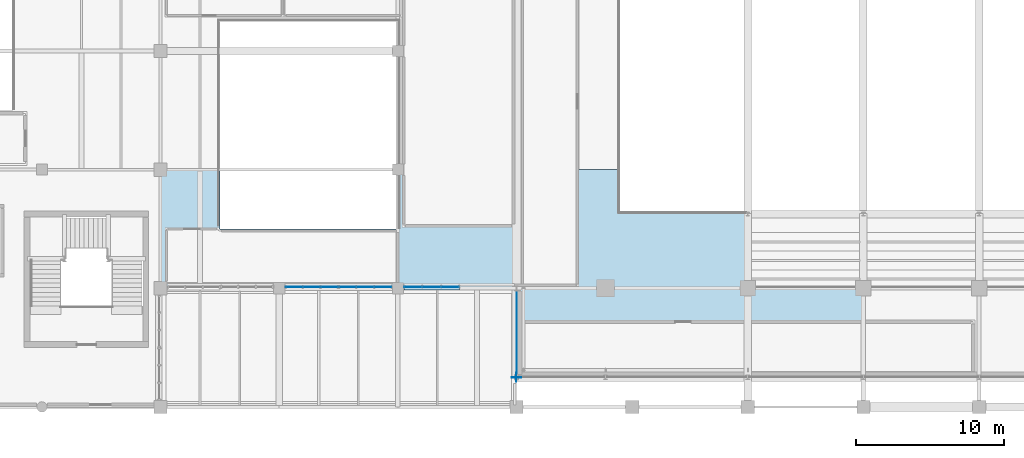
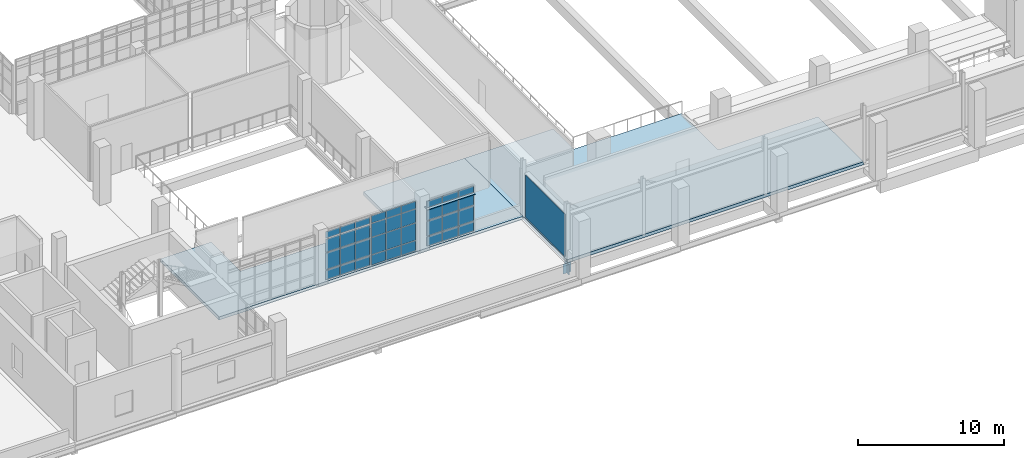
# One storey, part 66 of 102: 40 plates, 2 slabs, 3 elements without a shape of their own.
"""IFC4 building model written with IfcOpenShell, lengths in metres."""

from ifc_helpers import new_model, si_unit, derived_unit, direction, frame, origin, origin_2d, place, context, subcontext, project, spatial, polyline, rectangle, outline, extrude, material, layer, layer_set, type_object, element, aggregate, save


model = new_model("IFC4")

# Units and contexts
model_context = context("Model", 3, precision=1e-05, world=origin(), true_north=direction((0.0, 1.0)))
body_context = subcontext(model_context, "Body", "Model", "MODEL_VIEW")
ifc_project = project(units=[si_unit("LENGTHUNIT", "METRE"), si_unit("AREAUNIT", "SQUARE_METRE"), si_unit("VOLUMEUNIT", "CUBIC_METRE"), si_unit("PLANEANGLEUNIT", "RADIAN"), si_unit("MASSUNIT", "GRAM", prefix="KILO"), derived_unit("THERMALTRANSMITTANCEUNIT", [(si_unit("POWERUNIT", "WATT"), 1), (si_unit("LENGTHUNIT", "METRE"), -2), (si_unit("THERMODYNAMICTEMPERATUREUNIT", "KELVIN"), -1)])], contexts=[model_context])

# Site, building, storey
site_placement = place(None, origin())
site = spatial("IfcSite", under=ifc_project, at=site_placement, CompositionType="ELEMENT")
building_placement = place(site_placement, origin())
building = spatial("IfcBuilding", under=site, at=building_placement, Name="Nallur Shell Playhouse", CompositionType="ELEMENT")
storey_placement = place(building_placement, frame((0.0, 0.0, 15.0)))
storey = spatial("IfcBuildingStorey", under=building, at=storey_placement, Name="L04", CompositionType="ELEMENT", Elevation=15.0)

# Plates
ifc_material_1 = material(Name="Steel E350", Category="steel")
ifc_layer_1 = layer(ifc_material_1, 0.02001953125)
ifc_layer_set_1 = layer_set([ifc_layer_1], Name="Steel E350")
plate_type_1 = type_object("IfcPlateType", Name="PT-ENDCAP-20", PredefinedType="SHEET", material=ifc_layer_set_1)
plate_1_placement = place(storey_placement, frame((63.989990234375, 10.0, -1.06982421875), z_axis=(0.0, 0.0, 1.0), x_axis=(1.0, 0.0, 0.0)))
element("IfcPlate", 1, at=plate_1_placement, inside=storey, type_object=plate_type_1, Name="Hollow end cap EC-GB-L04-SA", PredefinedType="SHEET", context=body_context, shape_type="SweptSolid", body=[
    extrude(rectangle(XDim=0.02001953125, YDim=0.6201171875, at=origin_2d()), origin(), (0.0, 0.0, 1.0), 0.820068359375),
])
plate_2_placement = place(storey_placement, frame((64.0, 9.989990234375, -1.06982421875), z_axis=(0.0, 0.0, 1.0), x_axis=(1.0, 0.0, 0.0)))
element("IfcPlate", 2, at=plate_2_placement, inside=storey, type_object=plate_type_1, Name="Hollow end cap EC-GB-L04-WA", PredefinedType="SHEET", context=body_context, shape_type="SweptSolid", body=[
    extrude(rectangle(XDim=0.6201171875, YDim=0.02001953125, at=origin_2d()), origin(), (0.0, 0.0, 1.0), 0.820068359375),
])

# Curtain wall, plates
ifc_material_2 = material(Name="Anodised Aluminium Double-Glazed Facade System", Category="aluminium")
ifc_layer_2 = layer(ifc_material_2, 0.176025390625)
ifc_layer_set_2 = layer_set([ifc_layer_2], Name="Anodised Aluminium Double-Glazed Facade System")
curtain_wall_type_1 = type_object("IfcCurtainWallType", Name="CW-UNIT-04", PredefinedType="NOTDEFINED", material=ifc_layer_set_2)
curtain_wall_1_placement = place(storey_placement, origin())
curtain_wall_1 = element("IfcCurtainWall", 3, at=curtain_wall_1_placement, inside=storey, type_object=curtain_wall_type_1, Name="Unitised curtain wall CW-132 (L04)", PredefinedType="NOTDEFINED")
ifc_material_3 = material(Name="Solar-Control Low-E Laminated Insulating Glass", Category="glass")
ifc_layer_3 = layer(ifc_material_3, 0.031982421875)
ifc_layer_set_3 = layer_set([ifc_layer_3], Name="Solar-Control Low-E Laminated Insulating Glass")
plate_type_2 = type_object("IfcPlateType", Name="PT-GLZ-04", PredefinedType="CURTAIN_PANEL", material=ifc_layer_set_3)
plate_3_placement = place(storey_placement, frame((59.533935546875, 16.090087890625, 0.092041015625), z_axis=(0.0, 0.0, 1.0), x_axis=(-1.0, 0.0, 0.0)))
plate_3 = element("IfcPlate", 4, at=plate_3_placement, type_object=plate_type_2, Name="CW-04 panel 1.1", PredefinedType="CURTAIN_PANEL", context=body_context, shape_type="SweptSolid", body=[
    extrude(rectangle(XDim=1.17138671875, YDim=0.031982421875, at=origin_2d()), origin(), (0.0, 0.0, 1.0), 0.76611328125),
])
plate_4_placement = place(storey_placement, frame((59.533935546875, 16.090087890625, 0.94189453125), z_axis=(0.0, 0.0, 1.0), x_axis=(-1.0, 0.0, 0.0)))
plate_4 = element("IfcPlate", 5, at=plate_4_placement, type_object=plate_type_2, Name="CW-04 panel 1.2", PredefinedType="CURTAIN_PANEL", context=body_context, shape_type="SweptSolid", body=[
    extrude(rectangle(XDim=1.17138671875, YDim=0.031982421875, at=origin_2d()), origin(), (0.0, 0.0, 1.0), 1.219970703125),
])
plate_5_placement = place(storey_placement, frame((59.533935546875, 16.090087890625, 2.24609375), z_axis=(0.0, 0.0, 1.0), x_axis=(-1.0, 0.0, 0.0)))
plate_5 = element("IfcPlate", 6, at=plate_5_placement, type_object=plate_type_2, Name="CW-04 panel 1.3", PredefinedType="CURTAIN_PANEL", context=body_context, shape_type="SweptSolid", body=[
    extrude(rectangle(XDim=1.17138671875, YDim=0.031982421875, at=origin_2d()), origin(), (0.0, 0.0, 1.0), 0.967041015625),
])
plate_6_placement = place(storey_placement, frame((59.533935546875, 16.090087890625, 3.297119140625), z_axis=(0.0, 0.0, 1.0), x_axis=(-1.0, 0.0, 0.0)))
plate_6 = element("IfcPlate", 7, at=plate_6_placement, type_object=plate_type_2, Name="CW-04 panel 1.4", PredefinedType="CURTAIN_PANEL", context=body_context, shape_type="SweptSolid", body=[
    extrude(rectangle(XDim=1.17138671875, YDim=0.031982421875, at=origin_2d()), origin(), (0.0, 0.0, 1.0), 0.5458984375),
])
plate_7_placement = place(storey_placement, frame((58.28466796875, 16.090087890625, 0.092041015625), z_axis=(0.0, 0.0, 1.0), x_axis=(-1.0, 0.0, 0.0)))
plate_7 = element("IfcPlate", 8, at=plate_7_placement, type_object=plate_type_2, Name="CW-04 panel 2.1", PredefinedType="CURTAIN_PANEL", context=body_context, shape_type="SweptSolid", body=[
    extrude(rectangle(XDim=1.208740234375, YDim=0.031982421875, at=origin_2d()), origin(), (0.0, 0.0, 1.0), 0.76611328125),
])
plate_8_placement = place(storey_placement, frame((58.28466796875, 16.090087890625, 0.94189453125), z_axis=(0.0, 0.0, 1.0), x_axis=(-1.0, 0.0, 0.0)))
plate_8 = element("IfcPlate", 9, at=plate_8_placement, type_object=plate_type_2, Name="CW-04 panel 2.2", PredefinedType="CURTAIN_PANEL", context=body_context, shape_type="SweptSolid", body=[
    extrude(rectangle(XDim=1.208740234375, YDim=0.031982421875, at=origin_2d()), origin(), (0.0, 0.0, 1.0), 1.219970703125),
])
plate_9_placement = place(storey_placement, frame((58.28466796875, 16.090087890625, 2.24609375), z_axis=(0.0, 0.0, 1.0), x_axis=(-1.0, 0.0, 0.0)))
plate_9 = element("IfcPlate", 10, at=plate_9_placement, type_object=plate_type_2, Name="CW-04 panel 2.3", PredefinedType="CURTAIN_PANEL", context=body_context, shape_type="SweptSolid", body=[
    extrude(rectangle(XDim=1.208740234375, YDim=0.031982421875, at=origin_2d()), origin(), (0.0, 0.0, 1.0), 0.967041015625),
])
plate_10_placement = place(storey_placement, frame((58.28466796875, 16.090087890625, 3.297119140625), z_axis=(0.0, 0.0, 1.0), x_axis=(-1.0, 0.0, 0.0)))
plate_10 = element("IfcPlate", 11, at=plate_10_placement, type_object=plate_type_2, Name="CW-04 panel 2.4", PredefinedType="CURTAIN_PANEL", context=body_context, shape_type="SweptSolid", body=[
    extrude(rectangle(XDim=1.208740234375, YDim=0.031982421875, at=origin_2d()), origin(), (0.0, 0.0, 1.0), 0.5458984375),
])
plate_11_placement = place(storey_placement, frame((57.03564453125, 16.090087890625, 0.092041015625), z_axis=(0.0, 0.0, 1.0), x_axis=(-1.0, 0.0, 0.0)))
plate_11 = element("IfcPlate", 12, at=plate_11_placement, type_object=plate_type_2, Name="CW-04 panel 3.1", PredefinedType="CURTAIN_PANEL", context=body_context, shape_type="SweptSolid", body=[
    extrude(rectangle(XDim=1.17138671875, YDim=0.031982421875, at=origin_2d()), origin(), (0.0, 0.0, 1.0), 0.76611328125),
])
plate_12_placement = place(storey_placement, frame((57.03564453125, 16.090087890625, 0.94189453125), z_axis=(0.0, 0.0, 1.0), x_axis=(-1.0, 0.0, 0.0)))
plate_12 = element("IfcPlate", 13, at=plate_12_placement, type_object=plate_type_2, Name="CW-04 panel 3.2", PredefinedType="CURTAIN_PANEL", context=body_context, shape_type="SweptSolid", body=[
    extrude(rectangle(XDim=1.17138671875, YDim=0.031982421875, at=origin_2d()), origin(), (0.0, 0.0, 1.0), 1.219970703125),
])
plate_13_placement = place(storey_placement, frame((57.03564453125, 16.090087890625, 2.24609375), z_axis=(0.0, 0.0, 1.0), x_axis=(-1.0, 0.0, 0.0)))
plate_13 = element("IfcPlate", 14, at=plate_13_placement, type_object=plate_type_2, Name="CW-04 panel 3.3", PredefinedType="CURTAIN_PANEL", context=body_context, shape_type="SweptSolid", body=[
    extrude(rectangle(XDim=1.17138671875, YDim=0.031982421875, at=origin_2d()), origin(), (0.0, 0.0, 1.0), 0.967041015625),
])
plate_14_placement = place(storey_placement, frame((57.03564453125, 16.090087890625, 3.297119140625), z_axis=(0.0, 0.0, 1.0), x_axis=(-1.0, 0.0, 0.0)))
plate_14 = element("IfcPlate", 15, at=plate_14_placement, type_object=plate_type_2, Name="CW-04 panel 3.4", PredefinedType="CURTAIN_PANEL", context=body_context, shape_type="SweptSolid", body=[
    extrude(rectangle(XDim=1.17138671875, YDim=0.031982421875, at=origin_2d()), origin(), (0.0, 0.0, 1.0), 0.5458984375),
])
aggregate(curtain_wall_1, [plate_3, plate_4, plate_5, plate_6, plate_7, plate_8, plate_9, plate_10, plate_11, plate_12, plate_13, plate_14])

ifc_layer_4 = layer(ifc_material_2, 0.179931640625)
ifc_layer_set_4 = layer_set([ifc_layer_4], Name="Anodised Aluminium Double-Glazed Facade System")
curtain_wall_type_2 = type_object("IfcCurtainWallType", Name="CW-UNIT-05", PredefinedType="NOTDEFINED", material=ifc_layer_set_4)
curtain_wall_2_placement = place(storey_placement, origin())
curtain_wall_2 = element("IfcCurtainWall", 16, at=curtain_wall_2_placement, inside=storey, type_object=curtain_wall_type_2, Name="Unitised curtain wall CW-133 (L04)", PredefinedType="NOTDEFINED")
ifc_layer_5 = layer(ifc_material_3, 0.033935546875)
ifc_layer_set_5 = layer_set([ifc_layer_5], Name="Solar-Control Low-E Laminated Insulating Glass")
plate_type_3 = type_object("IfcPlateType", Name="PT-GLZ-05", PredefinedType="CURTAIN_PANEL", material=ifc_layer_set_5)
plate_15_placement = place(storey_placement, frame((54.998779296875, 16.090087890625, 0.05712890625), z_axis=(0.0, 0.0, 1.0), x_axis=(-1.0, 0.0, 0.0)))
plate_15 = element("IfcPlate", 17, at=plate_15_placement, type_object=plate_type_3, Name="CW-05 panel 1.1", PredefinedType="CURTAIN_PANEL", context=body_context, shape_type="SweptSolid", body=[
    extrude(rectangle(XDim=1.12255859375, YDim=0.033935546875, at=origin_2d()), origin(), (0.0, 0.0, 1.0), 0.818603515625),
])
plate_16_placement = place(storey_placement, frame((54.998779296875, 16.090087890625, 0.92431640625), z_axis=(0.0, 0.0, 1.0), x_axis=(-1.0, 0.0, 0.0)))
plate_16 = element("IfcPlate", 18, at=plate_16_placement, type_object=plate_type_3, Name="CW-05 panel 1.2", PredefinedType="CURTAIN_PANEL", context=body_context, shape_type="SweptSolid", body=[
    extrude(rectangle(XDim=1.12255859375, YDim=0.033935546875, at=origin_2d()), origin(), (0.0, 0.0, 1.0), 1.410888671875),
])
plate_17_placement = place(storey_placement, frame((54.998779296875, 16.090087890625, 2.384521484375), z_axis=(0.0, 0.0, 1.0), x_axis=(-1.0, 0.0, 0.0)))
plate_17 = element("IfcPlate", 19, at=plate_17_placement, type_object=plate_type_3, Name="CW-05 panel 1.3", PredefinedType="CURTAIN_PANEL", context=body_context, shape_type="SweptSolid", body=[
    extrude(rectangle(XDim=1.12255859375, YDim=0.033935546875, at=origin_2d()), origin(), (0.0, 0.0, 1.0), 1.1259765625),
])
plate_18_placement = place(storey_placement, frame((54.998779296875, 16.090087890625, 3.5595703125), z_axis=(0.0, 0.0, 1.0), x_axis=(-1.0, 0.0, 0.0)))
plate_18 = element("IfcPlate", 20, at=plate_18_placement, type_object=plate_type_3, Name="CW-05 panel 1.4", PredefinedType="CURTAIN_PANEL", context=body_context, shape_type="SweptSolid", body=[
    extrude(rectangle(XDim=1.12255859375, YDim=0.033935546875, at=origin_2d()), origin(), (0.0, 0.0, 1.0), 0.598388671875),
])
plate_19_placement = place(storey_placement, frame((53.81103515625, 16.090087890625, 0.05712890625), z_axis=(0.0, 0.0, 1.0), x_axis=(-1.0, 0.0, 0.0)))
plate_19 = element("IfcPlate", 21, at=plate_19_placement, type_object=plate_type_3, Name="CW-05 panel 2.1", PredefinedType="CURTAIN_PANEL", context=body_context, shape_type="SweptSolid", body=[
    extrude(rectangle(XDim=1.155029296875, YDim=0.033935546875, at=origin_2d()), origin(), (0.0, 0.0, 1.0), 0.818603515625),
])
plate_20_placement = place(storey_placement, frame((53.81103515625, 16.090087890625, 0.92431640625), z_axis=(0.0, 0.0, 1.0), x_axis=(-1.0, 0.0, 0.0)))
plate_20 = element("IfcPlate", 22, at=plate_20_placement, type_object=plate_type_3, Name="CW-05 panel 2.2", PredefinedType="CURTAIN_PANEL", context=body_context, shape_type="SweptSolid", body=[
    extrude(rectangle(XDim=1.155029296875, YDim=0.033935546875, at=origin_2d()), origin(), (0.0, 0.0, 1.0), 1.410888671875),
])
plate_21_placement = place(storey_placement, frame((53.81103515625, 16.090087890625, 2.384521484375), z_axis=(0.0, 0.0, 1.0), x_axis=(-1.0, 0.0, 0.0)))
plate_21 = element("IfcPlate", 23, at=plate_21_placement, type_object=plate_type_3, Name="CW-05 panel 2.3", PredefinedType="CURTAIN_PANEL", context=body_context, shape_type="SweptSolid", body=[
    extrude(rectangle(XDim=1.155029296875, YDim=0.033935546875, at=origin_2d()), origin(), (0.0, 0.0, 1.0), 1.1259765625),
])
plate_22_placement = place(storey_placement, frame((53.81103515625, 16.090087890625, 3.5595703125), z_axis=(0.0, 0.0, 1.0), x_axis=(-1.0, 0.0, 0.0)))
plate_22 = element("IfcPlate", 24, at=plate_22_placement, type_object=plate_type_3, Name="CW-05 panel 2.4", PredefinedType="CURTAIN_PANEL", context=body_context, shape_type="SweptSolid", body=[
    extrude(rectangle(XDim=1.155029296875, YDim=0.033935546875, at=origin_2d()), origin(), (0.0, 0.0, 1.0), 0.598388671875),
])
plate_23_placement = place(storey_placement, frame((52.623291015625, 16.090087890625, 0.05712890625), z_axis=(0.0, 0.0, 1.0), x_axis=(-1.0, 0.0, 0.0)))
plate_23 = element("IfcPlate", 25, at=plate_23_placement, type_object=plate_type_3, Name="CW-05 panel 3.1", PredefinedType="CURTAIN_PANEL", context=body_context, shape_type="SweptSolid", body=[
    extrude(rectangle(XDim=1.12255859375, YDim=0.033935546875, at=origin_2d()), origin(), (0.0, 0.0, 1.0), 0.818603515625),
])
plate_24_placement = place(storey_placement, frame((52.623291015625, 16.090087890625, 0.92431640625), z_axis=(0.0, 0.0, 1.0), x_axis=(-1.0, 0.0, 0.0)))
plate_24 = element("IfcPlate", 26, at=plate_24_placement, type_object=plate_type_3, Name="CW-05 panel 3.2", PredefinedType="CURTAIN_PANEL", context=body_context, shape_type="SweptSolid", body=[
    extrude(rectangle(XDim=1.12255859375, YDim=0.033935546875, at=origin_2d()), origin(), (0.0, 0.0, 1.0), 1.410888671875),
])
plate_25_placement = place(storey_placement, frame((52.623291015625, 16.090087890625, 2.384521484375), z_axis=(0.0, 0.0, 1.0), x_axis=(-1.0, 0.0, 0.0)))
plate_25 = element("IfcPlate", 27, at=plate_25_placement, type_object=plate_type_3, Name="CW-05 panel 3.3", PredefinedType="CURTAIN_PANEL", context=body_context, shape_type="SweptSolid", body=[
    extrude(rectangle(XDim=1.12255859375, YDim=0.033935546875, at=origin_2d()), origin(), (0.0, 0.0, 1.0), 1.1259765625),
])
plate_26_placement = place(storey_placement, frame((52.623291015625, 16.090087890625, 3.5595703125), z_axis=(0.0, 0.0, 1.0), x_axis=(-1.0, 0.0, 0.0)))
plate_26 = element("IfcPlate", 28, at=plate_26_placement, type_object=plate_type_3, Name="CW-05 panel 3.4", PredefinedType="CURTAIN_PANEL", context=body_context, shape_type="SweptSolid", body=[
    extrude(rectangle(XDim=1.12255859375, YDim=0.033935546875, at=origin_2d()), origin(), (0.0, 0.0, 1.0), 0.598388671875),
])
aggregate(curtain_wall_2, [plate_15, plate_16, plate_17, plate_18, plate_19, plate_20, plate_21, plate_22, plate_23, plate_24, plate_25, plate_26])

ifc_layer_6 = layer(ifc_material_2, 0.159912109375)
ifc_layer_set_6 = layer_set([ifc_layer_6], Name="Anodised Aluminium Double-Glazed Facade System")
curtain_wall_type_3 = type_object("IfcCurtainWallType", Name="CW-UNIT-06", PredefinedType="NOTDEFINED", material=ifc_layer_set_6)
curtain_wall_3_placement = place(storey_placement, origin())
curtain_wall_3 = element("IfcCurtainWall", 29, at=curtain_wall_3_placement, inside=storey, type_object=curtain_wall_type_3, Name="Unitised curtain wall CW-134 (L04)", PredefinedType="NOTDEFINED")
ifc_layer_7 = layer(ifc_material_3, 0.035888671875)
ifc_layer_set_7 = layer_set([ifc_layer_7], Name="Solar-Control Low-E Laminated Insulating Glass")
plate_type_4 = type_object("IfcPlateType", Name="PT-GLZ-06", PredefinedType="CURTAIN_PANEL", material=ifc_layer_set_7)
plate_27_placement = place(storey_placement, frame((51.373046875, 16.090087890625, 0.092041015625), z_axis=(0.0, 0.0, 1.0), x_axis=(-1.0, 0.0, 0.0)))
plate_27 = element("IfcPlate", 30, at=plate_27_placement, type_object=plate_type_4, Name="CW-06 panel 1.1", PredefinedType="CURTAIN_PANEL", context=body_context, shape_type="SweptSolid", body=[
    extrude(rectangle(XDim=1.10009765625, YDim=0.035888671875, at=origin_2d()), origin(), (0.0, 0.0, 1.0), 0.76611328125),
])
plate_28_placement = place(storey_placement, frame((51.373046875, 16.090087890625, 0.94189453125), z_axis=(0.0, 0.0, 1.0), x_axis=(-1.0, 0.0, 0.0)))
plate_28 = element("IfcPlate", 31, at=plate_28_placement, type_object=plate_type_4, Name="CW-06 panel 1.2", PredefinedType="CURTAIN_PANEL", context=body_context, shape_type="SweptSolid", body=[
    extrude(rectangle(XDim=1.10009765625, YDim=0.035888671875, at=origin_2d()), origin(), (0.0, 0.0, 1.0), 1.364990234375),
])
plate_29_placement = place(storey_placement, frame((51.373046875, 16.090087890625, 2.390869140625), z_axis=(0.0, 0.0, 1.0), x_axis=(-1.0, 0.0, 0.0)))
plate_29 = element("IfcPlate", 32, at=plate_29_placement, type_object=plate_type_4, Name="CW-06 panel 1.3", PredefinedType="CURTAIN_PANEL", context=body_context, shape_type="SweptSolid", body=[
    extrude(rectangle(XDim=1.10009765625, YDim=0.035888671875, at=origin_2d()), origin(), (0.0, 0.0, 1.0), 1.08203125),
])
plate_30_placement = place(storey_placement, frame((51.373046875, 16.090087890625, 3.55712890625), z_axis=(0.0, 0.0, 1.0), x_axis=(-1.0, 0.0, 0.0)))
plate_30 = element("IfcPlate", 33, at=plate_30_placement, type_object=plate_type_4, Name="CW-06 panel 1.4", PredefinedType="CURTAIN_PANEL", context=body_context, shape_type="SweptSolid", body=[
    extrude(rectangle(XDim=1.10009765625, YDim=0.035888671875, at=origin_2d()), origin(), (0.0, 0.0, 1.0), 0.5458984375),
])
plate_31_placement = place(storey_placement, frame((50.18896484375, 16.090087890625, 0.092041015625), z_axis=(0.0, 0.0, 1.0), x_axis=(-1.0, 0.0, 0.0)))
plate_31 = element("IfcPlate", 34, at=plate_31_placement, type_object=plate_type_4, Name="CW-06 panel 2.1", PredefinedType="CURTAIN_PANEL", context=body_context, shape_type="SweptSolid", body=[
    extrude(rectangle(XDim=1.139892578125, YDim=0.035888671875, at=origin_2d()), origin(), (0.0, 0.0, 1.0), 0.76611328125),
])
plate_32_placement = place(storey_placement, frame((50.18896484375, 16.090087890625, 0.94189453125), z_axis=(0.0, 0.0, 1.0), x_axis=(-1.0, 0.0, 0.0)))
plate_32 = element("IfcPlate", 35, at=plate_32_placement, type_object=plate_type_4, Name="CW-06 panel 2.2", PredefinedType="CURTAIN_PANEL", context=body_context, shape_type="SweptSolid", body=[
    extrude(rectangle(XDim=1.139892578125, YDim=0.035888671875, at=origin_2d()), origin(), (0.0, 0.0, 1.0), 1.364990234375),
])
plate_33_placement = place(storey_placement, frame((50.18896484375, 16.090087890625, 2.390869140625), z_axis=(0.0, 0.0, 1.0), x_axis=(-1.0, 0.0, 0.0)))
plate_33 = element("IfcPlate", 36, at=plate_33_placement, type_object=plate_type_4, Name="CW-06 panel 2.3", PredefinedType="CURTAIN_PANEL", context=body_context, shape_type="SweptSolid", body=[
    extrude(rectangle(XDim=1.139892578125, YDim=0.035888671875, at=origin_2d()), origin(), (0.0, 0.0, 1.0), 1.08203125),
])
plate_34_placement = place(storey_placement, frame((50.18896484375, 16.090087890625, 3.55712890625), z_axis=(0.0, 0.0, 1.0), x_axis=(-1.0, 0.0, 0.0)))
plate_34 = element("IfcPlate", 37, at=plate_34_placement, type_object=plate_type_4, Name="CW-06 panel 2.4", PredefinedType="CURTAIN_PANEL", context=body_context, shape_type="SweptSolid", body=[
    extrude(rectangle(XDim=1.139892578125, YDim=0.035888671875, at=origin_2d()), origin(), (0.0, 0.0, 1.0), 0.5458984375),
])
plate_35_placement = place(storey_placement, frame((49.0048828125, 16.090087890625, 0.092041015625), z_axis=(0.0, 0.0, 1.0), x_axis=(-1.0, 0.0, 0.0)))
plate_35 = element("IfcPlate", 38, at=plate_35_placement, type_object=plate_type_4, Name="CW-06 panel 3.1", PredefinedType="CURTAIN_PANEL", context=body_context, shape_type="SweptSolid", body=[
    extrude(rectangle(XDim=1.10009765625, YDim=0.035888671875, at=origin_2d()), origin(), (0.0, 0.0, 1.0), 0.76611328125),
])
plate_36_placement = place(storey_placement, frame((49.0048828125, 16.090087890625, 0.94189453125), z_axis=(0.0, 0.0, 1.0), x_axis=(-1.0, 0.0, 0.0)))
plate_36 = element("IfcPlate", 39, at=plate_36_placement, type_object=plate_type_4, Name="CW-06 panel 3.2", PredefinedType="CURTAIN_PANEL", context=body_context, shape_type="SweptSolid", body=[
    extrude(rectangle(XDim=1.10009765625, YDim=0.035888671875, at=origin_2d()), origin(), (0.0, 0.0, 1.0), 1.364990234375),
])
plate_37_placement = place(storey_placement, frame((49.0048828125, 16.090087890625, 2.390869140625), z_axis=(0.0, 0.0, 1.0), x_axis=(-1.0, 0.0, 0.0)))
plate_37 = element("IfcPlate", 40, at=plate_37_placement, type_object=plate_type_4, Name="CW-06 panel 3.3", PredefinedType="CURTAIN_PANEL", context=body_context, shape_type="SweptSolid", body=[
    extrude(rectangle(XDim=1.10009765625, YDim=0.035888671875, at=origin_2d()), origin(), (0.0, 0.0, 1.0), 1.08203125),
])
plate_38_placement = place(storey_placement, frame((49.0048828125, 16.090087890625, 3.55712890625), z_axis=(0.0, 0.0, 1.0), x_axis=(-1.0, 0.0, 0.0)))
plate_38 = element("IfcPlate", 41, at=plate_38_placement, type_object=plate_type_4, Name="CW-06 panel 3.4", PredefinedType="CURTAIN_PANEL", context=body_context, shape_type="SweptSolid", body=[
    extrude(rectangle(XDim=1.10009765625, YDim=0.035888671875, at=origin_2d()), origin(), (0.0, 0.0, 1.0), 0.5458984375),
])
aggregate(curtain_wall_3, [plate_27, plate_28, plate_29, plate_30, plate_31, plate_32, plate_33, plate_34, plate_35, plate_36, plate_37, plate_38])

# Plates
ifc_material_4 = material(Name="Gold-Anodised Perforated Aluminium Acoustic Cladding", Category="aluminium")
ifc_layer_8 = layer(ifc_material_4, 0.01611328125)
ifc_layer_set_8 = layer_set([ifc_layer_8], Name="Gold-Anodised Perforated Aluminium Acoustic Cladding")
plate_type_5 = type_object("IfcPlateType", Name="PT-GOLD-06", PredefinedType="SHEET", material=ifc_layer_set_8)
plate_39_placement = place(storey_placement, frame((64.02197265625, 13.0, 0.10009765625), z_axis=(0.0, 0.0, 1.0), x_axis=(0.0, 1.0, 0.0)))
element("IfcPlate", 42, at=plate_39_placement, inside=storey, type_object=plate_type_5, Name="Gold-anodised perforated aluminium cladding GC-012", PredefinedType="SHEET", context=body_context, shape_type="SweptSolid", body=[
    extrude(rectangle(XDim=5.429931640625, YDim=0.02392578125, at=origin_2d()), origin(), (0.0, 0.0, 1.0), 3.534912109375),
])
ifc_material_5 = material(Name="Terracotta & Gold-Anodised Monsoon Sunshade Blade", Category="masonry")
ifc_layer_9 = layer(ifc_material_5, 0.044921875)
ifc_layer_set_9 = layer_set([ifc_layer_9], Name="Terracotta & Gold-Anodised Monsoon Sunshade Blade")
plate_type_6 = type_object("IfcPlateType", Name="PT-LOUVRE-01", PredefinedType="USERDEFINED", material=ifc_layer_set_9)
plate_40_placement = place(storey_placement, frame((58.284912109375, 16.090087890625, 3.232421875), z_axis=(0.0, 0.0, 1.0), x_axis=(-1.0, 0.0, 0.0)))
element("IfcPlate", 43, at=plate_40_placement, inside=storey, type_object=plate_type_6, Name="Monsoon sunshade louvre blade LV-033", ObjectType="SUNSHADE LOUVRE", PredefinedType="USERDEFINED", context=body_context, shape_type="SweptSolid", body=[
    extrude(rectangle(XDim=3.762939453125, YDim=0.419921875, at=origin_2d()), origin(), (0.0, 0.0, 1.0), 0.044921875),
])

# Slabs
ifc_material_6 = material(Name="Concrete M30", Category="concrete")
ifc_layer_10 = layer(ifc_material_6, 0.260009765625)
ifc_layer_set_10 = layer_set([ifc_layer_10], Name="Concrete M30")
slab_type = type_object("IfcSlabType", Name="SL-FLOOR-260", PredefinedType="FLOOR", material=ifc_layer_set_10)
slab_1_placement = place(storey_placement, frame((0.0, 0.0, -0.260009765625)))
element("IfcSlab", 44, at=slab_1_placement, inside=storey, type_object=slab_type, Name="L04 structural floor slab panel 05", PredefinedType="FLOOR", context=body_context, shape_type="SweptSolid", body=[
    extrude(outline(polyline([(40.0, 16.0), (40.0, 24.0), (44.0, 24.0), (44.0, 20.0), (56.0, 20.0), (56.0, 24.0), (64.0, 24.0), (64.0, 16.0), (40.0, 16.0)])), origin(), (0.0, 0.0, 1.0), 0.260009765625),
])
slab_2_placement = place(storey_placement, frame((0.0, 0.0, -0.260009765625)))
element("IfcSlab", 45, at=slab_2_placement, inside=storey, type_object=slab_type, Name="L04 structural floor slab panel 09", PredefinedType="FLOOR", context=body_context, shape_type="SweptSolid", body=[
    extrude(outline(polyline([(64.0, 10.0), (64.0, 16.0), (64.0, 24.0), (71.0, 24.0), (71.0, 21.199951171875), (79.5, 21.199951171875), (79.5, 16.199951171875), (87.39990234375, 16.199951171875), (87.39990234375, 10.0), (64.0, 10.0)])), origin(), (0.0, 0.0, 1.0), 0.260009765625),
])

save(model, "model.ifc")
